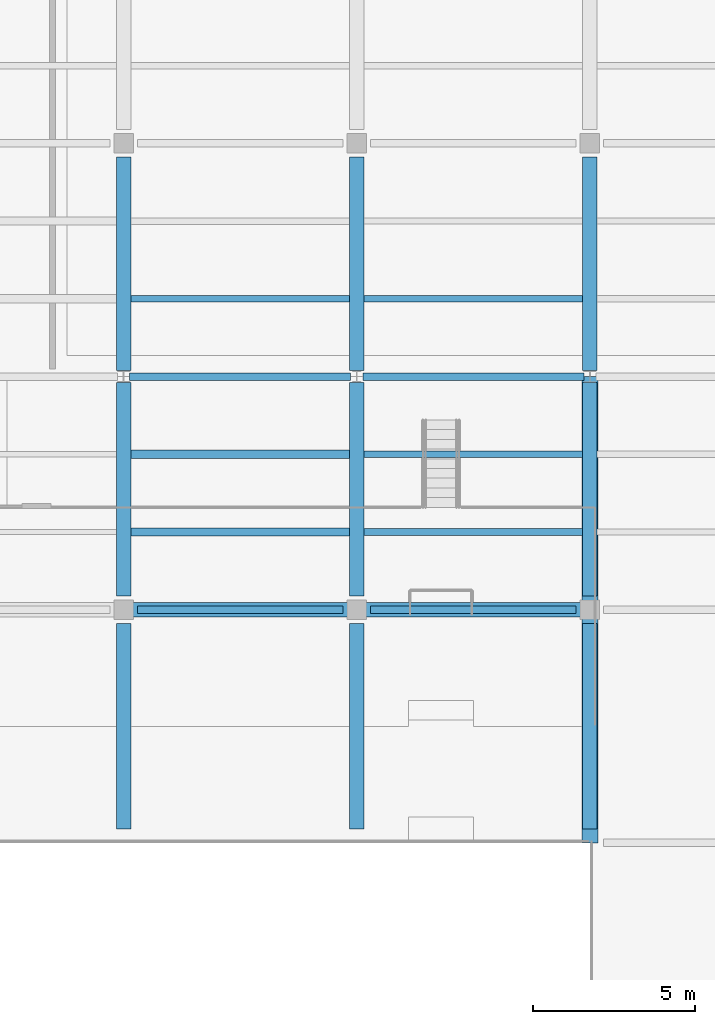
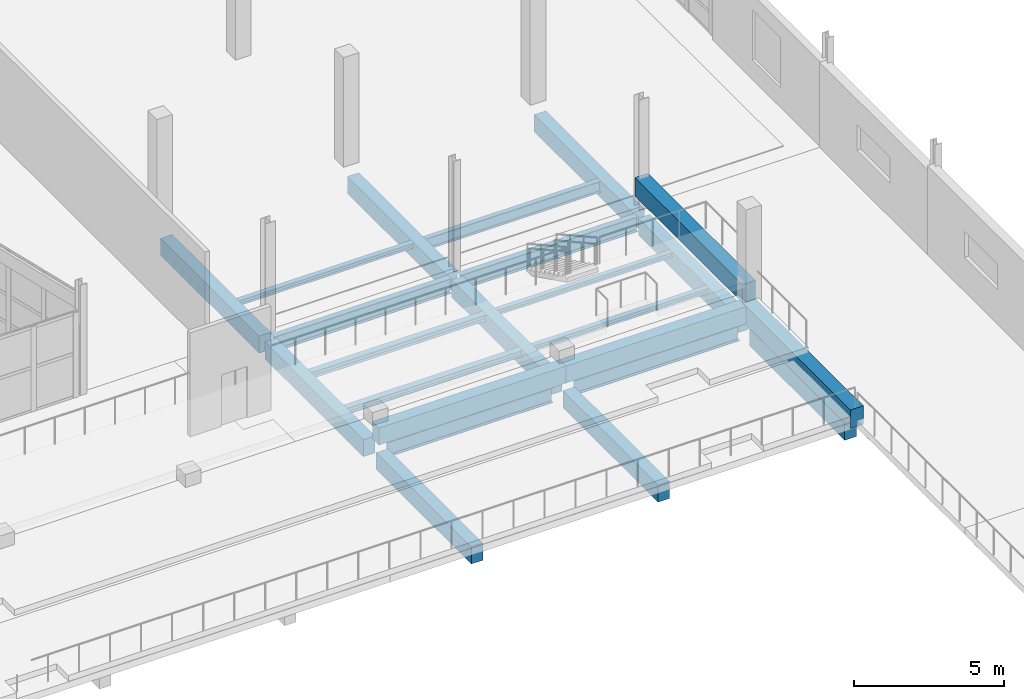
# One storey, part 60 of 123: 23 beams.
"""IFC4 building model written with IfcOpenShell, lengths in metres."""

from ifc_helpers import new_model, si_unit, direction, frame, origin, origin_2d, place, context, subcontext, project, spatial, rectangle, i_section, extrude, material, material_profile, profile_set, type_object, element, save


model = new_model("IFC4")

# Units and contexts
model_context = context("Model", 3, precision=1e-05, world=origin(), true_north=direction((0.0, 1.0)))
body_context = subcontext(model_context, "Body", "Model", "MODEL_VIEW")
ifc_project = project(units=[si_unit("LENGTHUNIT", "METRE"), si_unit("AREAUNIT", "SQUARE_METRE"), si_unit("VOLUMEUNIT", "CUBIC_METRE"), si_unit("PLANEANGLEUNIT", "RADIAN"), si_unit("MASSUNIT", "GRAM", prefix="KILO")], contexts=[model_context])

# Site, building, storey
site_placement = place(None, origin())
site = spatial("IfcSite", under=ifc_project, at=site_placement, CompositionType="ELEMENT")
building_placement = place(site_placement, origin())
building = spatial("IfcBuilding", under=site, at=building_placement, Name="Kalmorath City Hall", CompositionType="ELEMENT")
storey_placement = place(building_placement, frame((0.0, 0.0, 10.199951171875)))
storey = spatial("IfcBuildingStorey", under=building, at=storey_placement, Name="L02", CompositionType="ELEMENT", Elevation=10.199951171875)

# Beams
ifc_material_1 = material(Name="Concrete C40/50", Category="concrete")
ifc_material_profile_1 = material_profile(ifc_material_1, rectangle(XDim=0.449951171875, YDim=0.699951171875, at=origin_2d()), Name="RC-BM-450X700")
ifc_profile_set_1 = profile_set([ifc_material_profile_1], Name="Concrete C40/50")
beam_type_1 = type_object("IfcBeamType", Name="Concrete floor beam 450x700", PredefinedType="BEAM", material=ifc_profile_set_1)
for number, where, z_axis, x_axis, name in (
    (1, (144.0, 36.0, 0.16015625), (1.0, 0.0, 0.0), (0.0, 1.0, 0.0), "L02 gallery tier T2 support beam 144"),
    (2, (151.199951171875, 36.0, 0.16015625), (1.0, 0.0, 0.0), (0.0, 1.0, 0.0), "L02 gallery tier T2 support beam 151"),
):
    element("IfcBeam", number, at=place(storey_placement, frame(where, z_axis=z_axis, x_axis=x_axis)), inside=storey, type_object=beam_type_1, Name=name, PredefinedType="BEAM", context=body_context, shape_type="SweptSolid", body=[
        extrude(rectangle(XDim=0.449951171875, YDim=0.699951171875, at=origin_2d()), origin(), (0.0, 0.0, 1.0), 7.199951171875),
    ])
beam_1_placement = place(storey_placement, frame((144.0, 29.22509765625, -0.634033203125), z_axis=(0.0, 1.0, 0.0), x_axis=(-1.0, 0.0, 0.0)))
element("IfcBeam", 3, at=beam_1_placement, inside=storey, type_object=beam_type_1, Name="L02 girder CB4 Y21/5-6", PredefinedType="BEAM", context=body_context, shape_type="SweptSolid", body=[
    extrude(rectangle(XDim=0.449951171875, YDim=0.699951171875, at=origin_2d()), origin(), (0.0, 0.0, 1.0), 6.349853515625),
])
beam_2_placement = place(storey_placement, frame((144.0, 36.425048828125, -0.634033203125), z_axis=(0.0, 1.0, 0.0), x_axis=(-1.0, 0.0, 0.0)))
element("IfcBeam", 4, at=beam_2_placement, inside=storey, type_object=beam_type_1, Name="L02 girder CB4 Y21/6-7", PredefinedType="BEAM", context=body_context, shape_type="SweptSolid", body=[
    extrude(rectangle(XDim=0.449951171875, YDim=0.699951171875, at=origin_2d()), origin(), (0.0, 0.0, 1.0), 6.5888671875),
])
beam_3_placement = place(storey_placement, frame((144.0, 43.385986328125, -0.634033203125), z_axis=(0.0, 1.0, 0.0), x_axis=(-1.0, 0.0, 0.0)))
element("IfcBeam", 5, at=beam_3_placement, inside=storey, type_object=beam_type_1, Name="L02 girder CB4 Y21/7-8", PredefinedType="BEAM", context=body_context, shape_type="SweptSolid", body=[
    extrude(rectangle(XDim=0.449951171875, YDim=0.699951171875, at=origin_2d()), origin(), (0.0, 0.0, 1.0), 6.589111328125),
])
beam_4_placement = place(storey_placement, frame((151.199951171875, 29.22509765625, -0.634033203125), z_axis=(0.0, 1.0, 0.0), x_axis=(-1.0, 0.0, 0.0)))
element("IfcBeam", 6, at=beam_4_placement, inside=storey, type_object=beam_type_1, Name="L02 girder CB4 Y22/5-6", PredefinedType="BEAM", context=body_context, shape_type="SweptSolid", body=[
    extrude(rectangle(XDim=0.449951171875, YDim=0.699951171875, at=origin_2d()), origin(), (0.0, 0.0, 1.0), 6.349853515625),
])
beam_5_placement = place(storey_placement, frame((151.199951171875, 36.425048828125, -0.634033203125), z_axis=(0.0, 1.0, 0.0), x_axis=(-1.0, 0.0, 0.0)))
element("IfcBeam", 7, at=beam_5_placement, inside=storey, type_object=beam_type_1, Name="L02 girder CB4 Y22/6-7", PredefinedType="BEAM", context=body_context, shape_type="SweptSolid", body=[
    extrude(rectangle(XDim=0.449951171875, YDim=0.699951171875, at=origin_2d()), origin(), (0.0, 0.0, 1.0), 6.5888671875),
])
beam_6_placement = place(storey_placement, frame((151.199951171875, 43.385986328125, -0.634033203125), z_axis=(0.0, 1.0, 0.0), x_axis=(-1.0, 0.0, 0.0)))
element("IfcBeam", 8, at=beam_6_placement, inside=storey, type_object=beam_type_1, Name="L02 girder CB4 Y22/7-8", PredefinedType="BEAM", context=body_context, shape_type="SweptSolid", body=[
    extrude(rectangle(XDim=0.449951171875, YDim=0.699951171875, at=origin_2d()), origin(), (0.0, 0.0, 1.0), 6.589111328125),
])
beam_7_placement = place(storey_placement, frame((158.39990234375, 29.22509765625, -0.634033203125), z_axis=(0.0, 1.0, 0.0), x_axis=(-1.0, 0.0, 0.0)))
element("IfcBeam", 9, at=beam_7_placement, inside=storey, type_object=beam_type_1, Name="L02 girder CB4 Y23/5-6", PredefinedType="BEAM", context=body_context, shape_type="SweptSolid", body=[
    extrude(rectangle(XDim=0.449951171875, YDim=0.699951171875, at=origin_2d()), origin(), (0.0, 0.0, 1.0), 6.349853515625),
])
beam_8_placement = place(storey_placement, frame((158.39990234375, 36.425048828125, -0.634033203125), z_axis=(0.0, 1.0, 0.0), x_axis=(-1.0, 0.0, 0.0)))
element("IfcBeam", 10, at=beam_8_placement, inside=storey, type_object=beam_type_1, Name="L02 girder CB4 Y23/6-7", PredefinedType="BEAM", context=body_context, shape_type="SweptSolid", body=[
    extrude(rectangle(XDim=0.449951171875, YDim=0.699951171875, at=origin_2d()), origin(), (0.0, 0.0, 1.0), 6.5888671875),
])
beam_9_placement = place(storey_placement, frame((158.39990234375, 43.385986328125, -0.634033203125), z_axis=(0.0, 1.0, 0.0), x_axis=(-1.0, 0.0, 0.0)))
element("IfcBeam", 11, at=beam_9_placement, inside=storey, type_object=beam_type_1, Name="L02 girder CB4 Y23/7-8", PredefinedType="BEAM", context=body_context, shape_type="SweptSolid", body=[
    extrude(rectangle(XDim=0.449951171875, YDim=0.699951171875, at=origin_2d()), origin(), (0.0, 0.0, 1.0), 6.589111328125),
])
ifc_material_2 = material(Name="Concrete C40/50", Category="concrete")
ifc_material_profile_2 = material_profile(ifc_material_2, rectangle(XDim=0.5, YDim=0.75, at=origin_2d()), Name="RC-BM-500X750")
ifc_profile_set_2 = profile_set([ifc_material_profile_2], Name="Concrete C40/50")
beam_type_2 = type_object("IfcBeamType", Name="Concrete floor beam 500x750", PredefinedType="BEAM", material=ifc_profile_set_2)
for number, where, z_axis, x_axis, name in (
    (12, (158.39990234375, 28.800048828125, 0.14013671875), (0.0, 1.0, 0.0), (-1.0, 0.0, 0.0), "L02 gallery raker beam T2 158"),
    (13, (158.39990234375, 36.0, 0.89013671875), (0.0, 1.0, 0.0), (-1.0, 0.0, 0.0), "L02 gallery raker beam T3 158"),
):
    element("IfcBeam", number, at=place(storey_placement, frame(where, z_axis=z_axis, x_axis=x_axis)), inside=storey, type_object=beam_type_2, Name=name, PredefinedType="BEAM", context=body_context, shape_type="SweptSolid", body=[
        extrude(rectangle(XDim=0.5, YDim=0.75, at=origin_2d()), origin(), (0.0, 0.0, 1.0), 7.199951171875),
    ])
ifc_material_3 = material(Name="Steel ASTM A992 Grade 50", Category="steel")
ifc_material_profile_3 = material_profile(ifc_material_3, i_section(OverallWidth=0.193115234375, OverallDepth=0.466064453125, WebThickness=0.011474609375, FlangeThickness=0.01904296875, FilletRadius=0.013916015625, at=origin_2d()), Name="W18X65")
ifc_profile_set_3 = profile_set([ifc_material_profile_3], Name="Steel ASTM A992 Grade 50")
beam_type_3 = type_object("IfcBeamType", Name="Steel composite joist W18X65", PredefinedType="JOIST", material=ifc_profile_set_3)
beam_10_placement = place(storey_placement, frame((151.425048828125, 45.60009765625, -0.516845703125), z_axis=(1.0, 0.0, 0.0), x_axis=(0.0, 1.0, 0.0)))
element("IfcBeam", 14, at=beam_10_placement, inside=storey, type_object=beam_type_3, Name="L02 joist SJ1 22.7.1", PredefinedType="JOIST", context=body_context, shape_type="SweptSolid", body=[
    extrude(i_section(OverallWidth=0.193115234375, OverallDepth=0.466064453125, WebThickness=0.011474609375, FlangeThickness=0.01904296875, FilletRadius=0.013916015625, at=origin_2d()), origin(), (0.0, 0.0, 1.0), 6.75),
])
ifc_material_4 = material(Name="Steel ASTM A992 Grade 50", Category="steel")
ifc_material_profile_4 = material_profile(ifc_material_4, i_section(OverallWidth=0.202880859375, OverallDepth=0.202880859375, WebThickness=0.007080078125, FlangeThickness=0.010986328125, FilletRadius=0.010986328125, at=origin_2d()), Name="W8X31")
ifc_profile_set_4 = profile_set([ifc_material_profile_4], Name="Steel ASTM A992 Grade 50")
beam_type_4 = type_object("IfcBeamType", Name="Steel edge trimmer W8X31", PredefinedType="LINTEL", material=ifc_profile_set_4)
for number, where, z_axis, x_axis, name in (
    (15, (144.22509765625, 45.60009765625, -0.385498046875), (1.0, 0.0, 0.0), (0.0, 1.0, 0.0), "L02 joist SJ16 21.7.1"),
    (16, (151.425048828125, 38.39990234375, -0.385498046875), (1.0, 0.0, 0.0), (0.0, 1.0, 0.0), "L02 joist SJ16 22.6.1"),
    (17, (151.425048828125, 40.800048828125, -0.385498046875), (1.0, 0.0, 0.0), (0.0, 1.0, 0.0), "L02 joist SJ16 22.6.2"),
):
    element("IfcBeam", number, at=place(storey_placement, frame(where, z_axis=z_axis, x_axis=x_axis)), inside=storey, type_object=beam_type_4, Name=name, PredefinedType="LINTEL", context=body_context, shape_type="SweptSolid", body=[
        extrude(i_section(OverallWidth=0.202880859375, OverallDepth=0.202880859375, WebThickness=0.007080078125, FlangeThickness=0.010986328125, FilletRadius=0.010986328125, at=origin_2d()), origin(), (0.0, 0.0, 1.0), 6.75),
    ])
ifc_material_5 = material(Name="Steel ASTM A992 Grade 50", Category="steel")
ifc_material_profile_5 = material_profile(ifc_material_5, i_section(OverallWidth=0.22900390625, OverallDepth=0.612060546875, WebThickness=0.011962890625, FlangeThickness=0.01953125, FilletRadius=0.01611328125, at=origin_2d()), Name="W24X84")
ifc_profile_set_5 = profile_set([ifc_material_profile_5], Name="Steel ASTM A992 Grade 50")
beam_type_5 = type_object("IfcBeamType", Name="Steel floor girder W24X84", PredefinedType="BEAM", material=ifc_profile_set_5)
beam_11_placement = place(storey_placement, frame((144.425048828125, 36.0, -0.58984375), z_axis=(1.0, 0.0, 0.0), x_axis=(0.0, 1.0, 0.0)))
element("IfcBeam", 18, at=beam_11_placement, inside=storey, type_object=beam_type_5, Name="L02 girder SG8 X21-22/6", PredefinedType="BEAM", context=body_context, shape_type="SweptSolid", body=[
    extrude(i_section(OverallWidth=0.22900390625, OverallDepth=0.612060546875, WebThickness=0.011962890625, FlangeThickness=0.01953125, FilletRadius=0.01611328125, at=origin_2d()), origin(), (0.0, 0.0, 1.0), 6.349853515625),
])
beam_12_placement = place(storey_placement, frame((151.625, 36.0, -0.58984375), z_axis=(1.0, 0.0, 0.0), x_axis=(0.0, 1.0, 0.0)))
element("IfcBeam", 19, at=beam_12_placement, inside=storey, type_object=beam_type_5, Name="L02 girder SG8 X22-23/6", PredefinedType="BEAM", context=body_context, shape_type="SweptSolid", body=[
    extrude(i_section(OverallWidth=0.22900390625, OverallDepth=0.612060546875, WebThickness=0.011962890625, FlangeThickness=0.01953125, FilletRadius=0.01611328125, at=origin_2d()), origin(), (0.0, 0.0, 1.0), 6.35009765625),
])
for number, where, z_axis, x_axis, name in (
    (20, (144.18701171875, 43.199951171875, -0.58984375), (1.0, 0.0, 0.0), (0.0, 1.0, 0.0), "L02 girder SG8 X21-22/7"),
    (21, (151.386962890625, 43.199951171875, -0.58984375), (1.0, 0.0, 0.0), (0.0, 1.0, 0.0), "L02 girder SG8 X22-23/7"),
):
    element("IfcBeam", number, at=place(storey_placement, frame(where, z_axis=z_axis, x_axis=x_axis)), inside=storey, type_object=beam_type_5, Name=name, PredefinedType="BEAM", context=body_context, shape_type="SweptSolid", body=[
        extrude(i_section(OverallWidth=0.22900390625, OverallDepth=0.612060546875, WebThickness=0.011962890625, FlangeThickness=0.01953125, FilletRadius=0.01611328125, at=origin_2d()), origin(), (0.0, 0.0, 1.0), 6.825927734375),
    ])
ifc_material_6 = material(Name="Steel ASTM A992 Grade 50", Category="steel")
ifc_material_profile_6 = material_profile(ifc_material_6, i_section(OverallWidth=0.25390625, OverallDepth=0.2529296875, WebThickness=0.008544921875, FlangeThickness=0.01416015625, FilletRadius=0.011962890625, at=origin_2d()), Name="W10X49")
ifc_profile_set_6 = profile_set([ifc_material_profile_6], Name="Steel ASTM A992 Grade 50")
beam_type_6 = type_object("IfcBeamType", Name="Steel trimmer beam W10X49", PredefinedType="BEAM", material=ifc_profile_set_6)
for number, where, z_axis, x_axis, name in (
    (22, (144.22509765625, 38.39990234375, -0.410400390625), (1.0, 0.0, 0.0), (0.0, 1.0, 0.0), "L02 joist SJ14 21.6.1"),
    (23, (144.22509765625, 40.800048828125, -0.410400390625), (1.0, 0.0, 0.0), (0.0, 1.0, 0.0), "L02 joist SJ14 21.6.2"),
):
    element("IfcBeam", number, at=place(storey_placement, frame(where, z_axis=z_axis, x_axis=x_axis)), inside=storey, type_object=beam_type_6, Name=name, PredefinedType="BEAM", context=body_context, shape_type="SweptSolid", body=[
        extrude(i_section(OverallWidth=0.25390625, OverallDepth=0.2529296875, WebThickness=0.008544921875, FlangeThickness=0.01416015625, FilletRadius=0.011962890625, at=origin_2d()), origin(), (0.0, 0.0, 1.0), 6.75),
    ])

save(model, "model.ifc")
